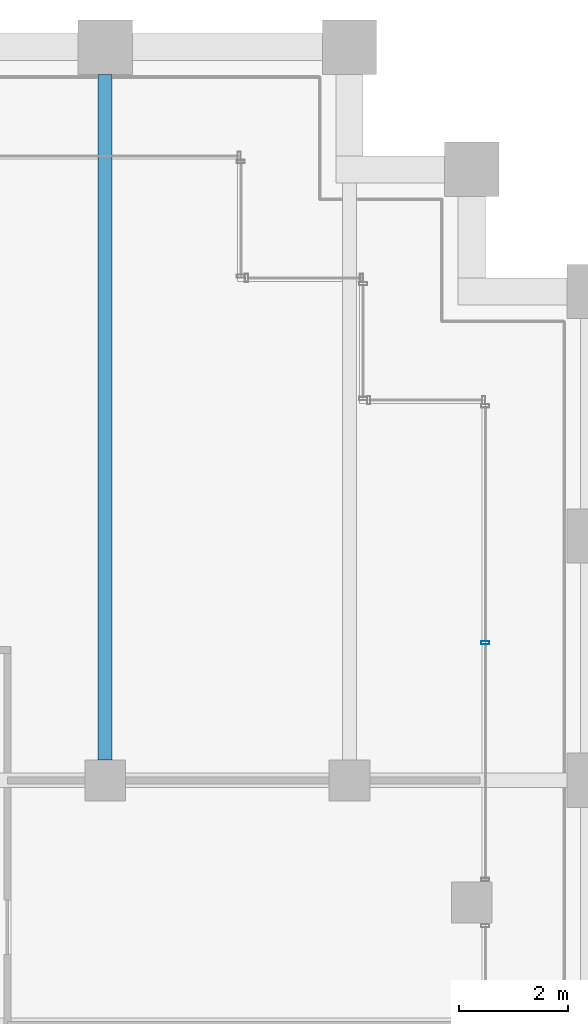
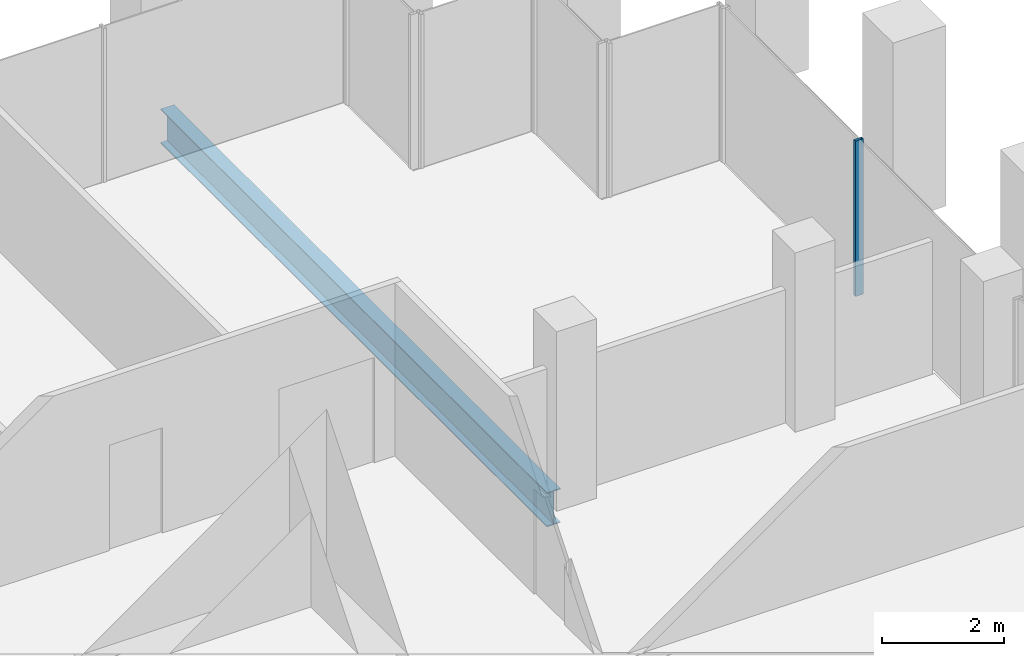
# One storey, part 24 of 47: 1 beam, 1 member, 1 element without a shape of its own.
"""IFC4 building model written with IfcOpenShell, lengths in metres."""

import ifcopenshell
import ifcopenshell.guid

model = None  # the IFC model being written
_history = None  # IfcOwnerHistory: only IFC2X3 demands one
_inside = {}  # id of a spatial element -> (the spatial element, [elements in it])
_under = {}  # id of a project, library or spatial element -> (it, [spatial elements below it])
_declared = {}  # id of a project -> (the project, [libraries it declares])
_typed = {}  # id of a type object -> (the type object, [elements of that type])
_made_of = {}  # id of a material, layer set ... -> (it, [elements and type objects made of it])


def new_model(schema):
    """Start an empty IFC model of exactly this schema.

    Asked for "IFC4X3", IfcOpenShell would pick the latest addendum, in which some entities
    have other attributes; the version numbers below select the first issue.
    IFC2X3 requires an IfcOwnerHistory on every rooted entity: one is made here for all.
    """
    global model, _history
    if schema == "IFC4X3":
        model = ifcopenshell.file(schema_version=(4, 3, 0, 0))
    else:
        model = ifcopenshell.file(schema=schema)
    _inside.clear()
    _under.clear()
    _declared.clear()
    _typed.clear()
    _made_of.clear()
    _history = None
    if model.schema == "IFC2X3":
        org = make("IfcOrganization", Name="unknown")
        user = make(
            "IfcPersonAndOrganization",
            ThePerson=make("IfcPerson", FamilyName="unknown"),
            TheOrganization=org,
        )
        app = make(
            "IfcApplication",
            ApplicationDeveloper=org,
            Version="unknown",
            ApplicationFullName="unknown",
            ApplicationIdentifier="unknown",
        )
        _history = make(
            "IfcOwnerHistory",
            OwningUser=user,
            OwningApplication=app,
            ChangeAction="ADDED",
            CreationDate=0,
        )
    return model


def make(cls, **values):
    """One entity of the class cls with the attributes given. An attribute that is None is left unset."""
    return model.create_entity(
        cls, **{name: value for name, value in values.items() if value is not None}
    )


def rooted(cls, **values):
    """An entity with a GlobalId (a new one), such as an element, a storey or a relation."""
    return make(cls, GlobalId=ifcopenshell.guid.new(), OwnerHistory=_history, **values)


def si_unit(unit_type, name, prefix=None):
    """IfcSIUnit, for example si_unit("LENGTHUNIT", "METRE", prefix="MILLI")."""
    return make("IfcSIUnit", UnitType=unit_type, Prefix=prefix, Name=name)


def assignment(units):
    """IfcUnitAssignment: the units of a project."""
    return None if units is None else make("IfcUnitAssignment", Units=units)


def point(xyz):
    """IfcCartesianPoint."""
    return None if xyz is None else make("IfcCartesianPoint", Coordinates=xyz)


def direction(xyz):
    """IfcDirection."""
    return None if xyz is None else make("IfcDirection", DirectionRatios=xyz)


def frame(location, z_axis=None, x_axis=None):
    """IfcAxis2Placement3D, a coordinate frame: its origin and axes. An axis left out is left unset."""
    return make(
        "IfcAxis2Placement3D",
        Location=point(location),
        Axis=direction(z_axis),
        RefDirection=direction(x_axis),
    )


def frame_2d(location, x_axis=None):
    """IfcAxis2Placement2D, a coordinate frame in the plane: its origin and x axis."""
    return make(
        "IfcAxis2Placement2D", Location=point(location), RefDirection=direction(x_axis)
    )


def origin():
    """The frame at (0, 0, 0) with its axes left unset."""
    return frame((0.0, 0.0, 0.0))


def origin_2d():
    """The frame at (0, 0) in the plane with its x axis left unset."""
    return frame_2d((0.0, 0.0))


def place(relative_to, where):
    """IfcLocalPlacement: puts the frame where relative to a parent placement (None: the world)."""
    return make(
        "IfcLocalPlacement", PlacementRelTo=relative_to, RelativePlacement=where
    )


def context(
    kind, dimensions, precision=None, world=None, true_north=None, identifier=None
):
    """IfcGeometricRepresentationContext, for example the 3D "Model" context."""
    return make(
        "IfcGeometricRepresentationContext",
        ContextIdentifier=identifier,
        ContextType=kind,
        CoordinateSpaceDimension=dimensions,
        Precision=precision,
        WorldCoordinateSystem=world,
        TrueNorth=true_north,
    )


def subcontext(parent, identifier, kind, view, scale=None):
    """IfcGeometricRepresentationSubContext, for example "Body" below "Model"."""
    return make(
        "IfcGeometricRepresentationSubContext",
        ContextIdentifier=identifier,
        ContextType=kind,
        ParentContext=parent,
        TargetScale=scale,
        TargetView=view,
    )


def project(units=None, contexts=None):
    """IfcProject with its units and contexts."""
    return rooted(
        "IfcProject",
        Name="project",
        RepresentationContexts=contexts,
        UnitsInContext=assignment(units),
    )


def spatial(cls, under=None, at=None, **own):
    """A site, building, storey or space (cls), placed at a placement, below another one or the project."""
    s = rooted(cls, ObjectPlacement=at, **own)
    if under is not None:
        _under.setdefault(under.id(), (under, []))[1].append(s)
    return s


def profile(cls, at=None, kind="AREA", **sizes):
    """A parametric profile (cls). Its sizes go by their IFC names, for example OverallWidth=200.0."""
    return make(cls, ProfileType=kind, Position=at, **sizes)


def hollow_rectangle(**sizes):
    """IfcRectangleHollowProfileDef."""
    return profile("IfcRectangleHollowProfileDef", **sizes)


def i_section(**sizes):
    """IfcIShapeProfileDef."""
    return profile("IfcIShapeProfileDef", **sizes)


def extrude(swept, where, along, depth):
    """IfcExtrudedAreaSolid: the profile swept, set in the frame where, extruded along a direction by depth."""
    return make(
        "IfcExtrudedAreaSolid",
        SweptArea=swept,
        Position=where,
        ExtrudedDirection=direction(along),
        Depth=depth,
    )


def shape(context_of_items, identifier, shape_type, items):
    """IfcShapeRepresentation: the items that make up one representation, for example the "Body"."""
    return make(
        "IfcShapeRepresentation",
        ContextOfItems=context_of_items,
        RepresentationIdentifier=identifier,
        RepresentationType=shape_type,
        Items=items,
    )


def material(Name=None, Category=None):
    """IfcMaterial."""
    return make("IfcMaterial", Name=Name, Category=Category)


def material_profile(
    of_material, cross_section, Name=None, Category=None, Priority=None
):
    """IfcMaterialProfile: a cross section and its material."""
    return make(
        "IfcMaterialProfile",
        Name=Name,
        Material=of_material,
        Profile=cross_section,
        Priority=Priority,
        Category=Category,
    )


def profile_set(profiles, Name=None, composite=None):
    """IfcMaterialProfileSet."""
    return make(
        "IfcMaterialProfileSet",
        Name=Name,
        MaterialProfiles=profiles,
        CompositeProfile=composite,
    )


def made_of(thing, what):
    """Note that an element or type object is made of a material, layer set ...; save() writes the relation."""
    if what is not None:
        _made_of.setdefault(what.id(), (what, []))[1].append(thing)
    return thing


def type_object(cls, material=None, **own):
    """A type object (cls), such as IfcWallType, which elements share."""
    return made_of(rooted(cls, **own), material)


def element(
    cls,
    number,
    at=None,
    inside=None,
    cuts=None,
    type_object=None,
    material=None,
    context=None,
    identifier="Body",
    shape_type=None,
    held_by="IfcProductDefinitionShape",
    body=None,
    shapes=None,
    **own,
):
    """One element of the class cls, such as IfcWall. Its Tag is "e" and its number.

    at: its placement. inside: the storey or other place that contains it. cuts: it is an
    opening in that element (IfcRelVoidsElement). A single representation is given by context,
    identifier, shape_type and body (its items); several are given by shapes. held_by: the class
    of the entity that holds the representations. save() writes the other relations.
    """
    e = rooted(cls, Tag="e%d" % number, ObjectPlacement=at, **own)
    if body is not None:
        shapes = [shape(context, identifier, shape_type, body)]
    if shapes is not None:
        e.Representation = make(held_by, Representations=shapes)
    if inside is not None:
        _inside.setdefault(inside.id(), (inside, []))[1].append(e)
    if cuts is not None:
        rooted(
            "IfcRelVoidsElement", RelatingBuildingElement=cuts, RelatedOpeningElement=e
        )
    if type_object is not None:
        _typed.setdefault(type_object.id(), (type_object, []))[1].append(e)
    return made_of(e, material)


def aggregate(whole, parts):
    """IfcRelAggregates: a whole, such as a stair, and the parts it consists of."""
    return rooted("IfcRelAggregates", RelatingObject=whole, RelatedObjects=parts)


def save(model, path):
    """Write the relations noted so far, then the file.

    IfcRelAggregates (storeys below a building ...), IfcRelContainedInSpatialStructure (elements
    in a storey), IfcRelDefinesByType, IfcRelAssociatesMaterial and IfcRelDeclares: one each for
    every whole, place, type object, material and project.
    """
    for whole, parts in _under.values():
        aggregate(whole, parts)
    for where, things in _inside.values():
        rooted(
            "IfcRelContainedInSpatialStructure",
            RelatedElements=things,
            RelatingStructure=where,
        )
    for kind, things in _typed.values():
        rooted("IfcRelDefinesByType", RelatedObjects=things, RelatingType=kind)
    for what, things in _made_of.values():
        rooted("IfcRelAssociatesMaterial", RelatedObjects=things, RelatingMaterial=what)
    for by, libraries in _declared.values():
        rooted("IfcRelDeclares", RelatingContext=by, RelatedDefinitions=libraries)
    model.write(path)


model = new_model("IFC4")

# Units and contexts
model_context = context("Model", 3, precision=1e-05, world=origin(), true_north=direction((0.0, 1.0)))
body_context = subcontext(model_context, "Body", "Model", "MODEL_VIEW")
ifc_project = project(units=[si_unit("LENGTHUNIT", "METRE"), si_unit("AREAUNIT", "SQUARE_METRE"), si_unit("VOLUMEUNIT", "CUBIC_METRE"), si_unit("PLANEANGLEUNIT", "RADIAN"), si_unit("MASSUNIT", "GRAM", prefix="KILO")], contexts=[model_context])

# Site, building, storey
site_placement = place(None, origin())
site = spatial("IfcSite", under=ifc_project, at=site_placement, CompositionType="ELEMENT")
building_placement = place(site_placement, origin())
building = spatial("IfcBuilding", under=site, at=building_placement, Name="Altepetl Exchange Towers", CompositionType="ELEMENT")
storey_placement = place(building_placement, frame((0.0, 0.0, 95.60009765625)))
storey = spatial("IfcBuildingStorey", under=building, at=storey_placement, Name="L23", CompositionType="ELEMENT", Elevation=95.60009765625)

# Beam
ifc_material_1 = material(Name="Steel S355", Category="steel")
ifc_material_profile_1 = material_profile(ifc_material_1, i_section(OverallWidth=0.25390625, OverallDepth=0.68408203125, WebThickness=0.012451171875, FlangeThickness=0.018798828125, at=origin_2d()), Name="W27X94")
ifc_profile_set_1 = profile_set([ifc_material_profile_1], Name="Steel S355")
beam_type = type_object("IfcBeamType", Name="Floor beam W27X94", PredefinedType="BEAM", material=ifc_profile_set_1)
beam_placement = place(storey_placement, frame((63.0, 58.875, -0.4921875), z_axis=(0.0, 1.0, 0.0), x_axis=(-1.0, 0.0, 0.0)))
element("IfcBeam", 1, at=beam_placement, inside=storey, type_object=beam_type, Name="bm:A:L23:004", PredefinedType="BEAM", context=body_context, shape_type="SweptSolid", body=[
    extrude(i_section(OverallWidth=0.25390625, OverallDepth=0.68408203125, WebThickness=0.012451171875, FlangeThickness=0.018798828125, at=origin_2d()), origin(), (0.0, 0.0, 1.0), 12.625),
])

# Curtain wall, member
ifc_material_2 = material(Name="Aluminium 6063-T6 glazing", Category="aluminium")
curtain_wall_type = type_object("IfcCurtainWallType", Name="Loggia glazing system", PredefinedType="NOTDEFINED", material=ifc_material_2)
curtain_wall_placement = place(storey_placement, origin())
curtain_wall = element("IfcCurtainWall", 2, at=curtain_wall_placement, inside=storey, type_object=curtain_wall_type, Name="CW1 run", PredefinedType="NOTDEFINED")
ifc_material_3 = material(Name="Aluminium 6063-T6", Category="aluminium")
ifc_material_profile_2 = material_profile(ifc_material_3, hollow_rectangle(XDim=0.06005859375, YDim=0.14990234375, WallThickness=0.0029296875, at=origin_2d()), Name="Mullion 60x150 aluminium")
ifc_profile_set_2 = profile_set([ifc_material_profile_2], Name="Aluminium 6063-T6")
member_type = type_object("IfcMemberType", Name="Mullion 60x150 aluminium", PredefinedType="MULLION", material=ifc_profile_set_2)
member_placement = place(storey_placement, frame((70.0, 61.034912109375, 0.0), z_axis=(0.0, 0.0, 1.0), x_axis=(0.0, 1.0, 0.0)))
member = element("IfcMember", 3, at=member_placement, type_object=member_type, Name="MU1 mullion", PredefinedType="MULLION", context=body_context, shape_type="SweptSolid", body=[
    extrude(hollow_rectangle(XDim=0.06005859375, YDim=0.14990234375, WallThickness=0.0029296875, at=origin_2d()), origin(), (0.0, 0.0, 1.0), 3.099853515625),
])
aggregate(curtain_wall, [member])

save(model, "model.ifc")
